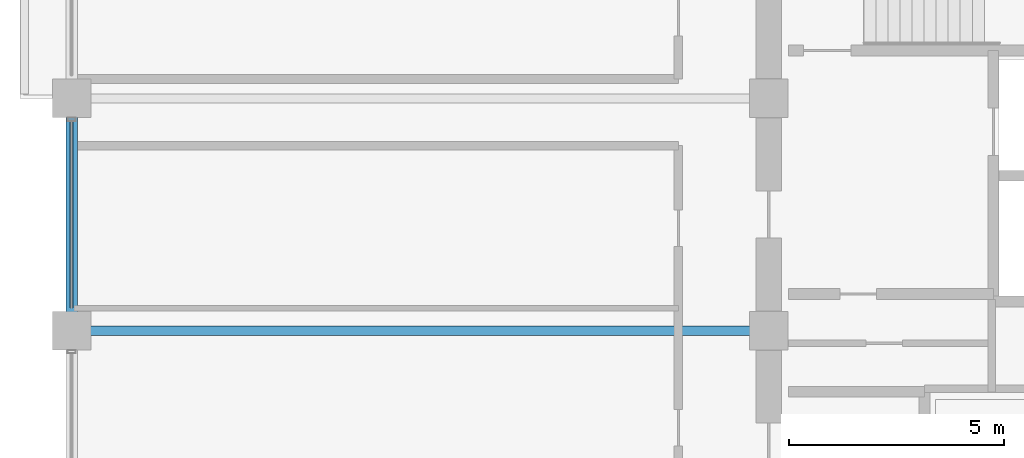
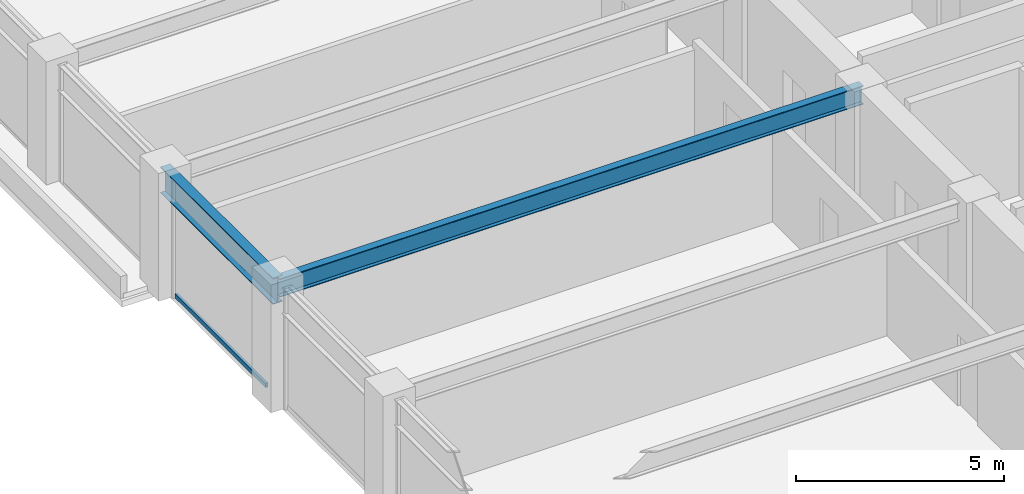
# One storey, part 9 of 31: 2 beams, 1 member, 1 element without a shape of its own.
"""IFC4 building model written with IfcOpenShell, lengths in metres."""

from ifc_helpers import new_model, si_unit, direction, frame, origin, origin_2d, place, context, subcontext, project, spatial, hollow_rectangle, i_section, extrude, material, layer, layer_set, material_profile, profile_set, type_object, element, aggregate, save


model = new_model("IFC4")

# Units and contexts
model_context = context("Model", 3, precision=1e-05, world=origin(), true_north=direction((0.0, 1.0)))
body_context = subcontext(model_context, "Body", "Model", "MODEL_VIEW")
ifc_project = project(units=[si_unit("LENGTHUNIT", "METRE"), si_unit("AREAUNIT", "SQUARE_METRE"), si_unit("VOLUMEUNIT", "CUBIC_METRE"), si_unit("PLANEANGLEUNIT", "RADIAN"), si_unit("MASSUNIT", "GRAM", prefix="KILO")], contexts=[model_context])

# Site, building, storey
site_placement = place(None, origin())
site = spatial("IfcSite", under=ifc_project, at=site_placement, CompositionType="ELEMENT")
building_placement = place(site_placement, origin())
building = spatial("IfcBuilding", under=site, at=building_placement, Name="Surkhivell Harbour Commons", CompositionType="ELEMENT")
storey_placement = place(building_placement, frame((0.0, 0.0, 193.5)))
storey = spatial("IfcBuildingStorey", under=building, at=storey_placement, Name="L50", CompositionType="ELEMENT", Elevation=193.5)

# Beams
ifc_material_1 = material(Name="Steel S355", Category="steel")
ifc_material_profile_1 = material_profile(ifc_material_1, i_section(OverallWidth=0.2119140625, OverallDepth=0.5439453125, WebThickness=0.0126953125, FlangeThickness=0.021240234375, at=origin_2d()), Name="UB533x210x122")
ifc_profile_set_1 = profile_set([ifc_material_profile_1], Name="Steel S355")
beam_type_1 = type_object("IfcBeamType", Name="BM-GRD-533A", PredefinedType="BEAM", material=ifc_profile_set_1)
beam_1_placement = place(storey_placement, frame((-27.0, 0.0, 3.298095703125), z_axis=(1.0, 0.0, 0.0), x_axis=(0.0, 1.0, 0.0)))
element("IfcBeam", 1, at=beam_1_placement, inside=storey, type_object=beam_type_1, Name="L50 Floor Girder (-27.0,0.0)", PredefinedType="BEAM", context=body_context, shape_type="SweptSolid", body=[
    extrude(i_section(OverallWidth=0.2119140625, OverallDepth=0.5439453125, WebThickness=0.0126953125, FlangeThickness=0.021240234375, at=origin_2d()), origin(), (0.0, 0.0, 1.0), 16.199951171875),
])
ifc_material_profile_2 = material_profile(ifc_material_1, i_section(OverallWidth=0.26806640625, OverallDepth=0.77001953125, WebThickness=0.015625, FlangeThickness=0.025390625, at=origin_2d()), Name="UB762x267x197")
ifc_profile_set_2 = profile_set([ifc_material_profile_2], Name="Steel S355")
beam_type_2 = type_object("IfcBeamType", Name="BM-SPN-762", PredefinedType="SPANDREL", material=ifc_profile_set_2)
beam_2_placement = place(storey_placement, frame((-27.0, 0.0, 3.18505859375), z_axis=(0.0, 1.0, 0.0), x_axis=(-1.0, 0.0, 0.0)))
element("IfcBeam", 2, at=beam_2_placement, inside=storey, type_object=beam_type_2, Name="L50 Tube Spandrel (-27.0,0.0)", PredefinedType="SPANDREL", context=body_context, shape_type="SweptSolid", body=[
    extrude(i_section(OverallWidth=0.26806640625, OverallDepth=0.77001953125, WebThickness=0.015625, FlangeThickness=0.025390625, at=origin_2d()), origin(), (0.0, 0.0, 1.0), 5.39990234375),
])

# Curtain wall, member
ifc_material_2 = material(Name="Anodised pale-metal aluminium and insulated glazing", Category="aluminium")
ifc_layer = layer(ifc_material_2, 0.18994140625)
ifc_layer_set = layer_set([ifc_layer], Name="Anodised pale-metal aluminium and insulated glazing")
curtain_wall_type = type_object("IfcCurtainWallType", Name="CW-SYS-Z3", PredefinedType="NOTDEFINED", material=ifc_layer_set)
curtain_wall_placement = place(storey_placement, origin())
curtain_wall = element("IfcCurtainWall", 3, at=curtain_wall_placement, inside=storey, type_object=curtain_wall_type, Name="L50 Curtain Wall CW-L50-E12S1", PredefinedType="NOTDEFINED")
ifc_material_3 = material(Name="Champagne anodised aluminium alloy 6063-T6", Category="aluminium")
ifc_material_profile_3 = material_profile(ifc_material_3, hollow_rectangle(XDim=0.070068359375, YDim=0.1298828125, WallThickness=0.00341796875, at=origin_2d()), Name="ALU-TRAN-70x130")
ifc_profile_set_3 = profile_set([ifc_material_profile_3], Name="Champagne anodised aluminium alloy 6063-T6")
member_type = type_object("IfcMemberType", Name="CWT-130", PredefinedType="USERDEFINED", material=ifc_profile_set_3)
member_placement = place(storey_placement, frame((-27.0, 4.873046875, 0.06494140625), z_axis=(0.0, -1.0, 0.0), x_axis=(1.0, 0.0, 0.0)))
member = element("IfcMember", 4, at=member_placement, type_object=member_type, Name="CW-Z3 transom 4.1", ObjectType="TRANSOM", PredefinedType="USERDEFINED", context=body_context, shape_type="SweptSolid", body=[
    extrude(hollow_rectangle(XDim=0.070068359375, YDim=0.1298828125, WallThickness=0.00341796875, at=origin_2d()), origin(), (0.0, 0.0, 1.0), 4.345947265625),
])
aggregate(curtain_wall, [member])

save(model, "model.ifc")
